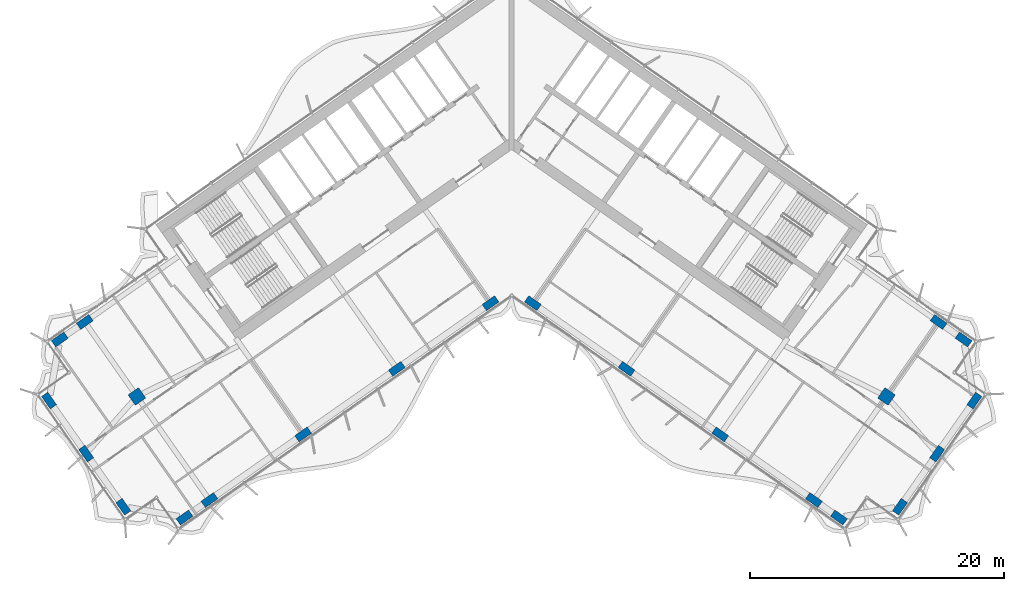
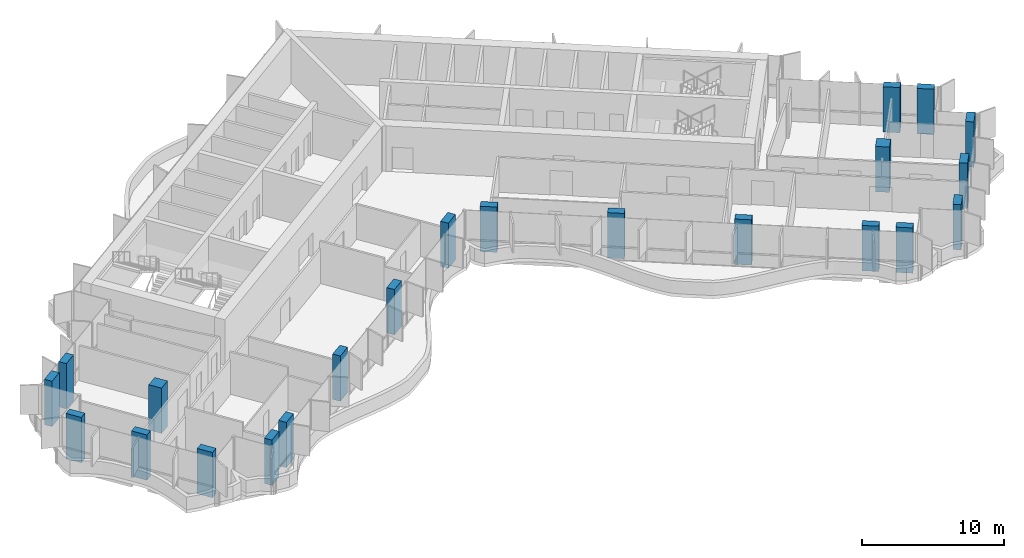
# One storey, part 1 of 23: 22 columns.
"""IFC4 building model written with IfcOpenShell, lengths in metres."""

from ifc_helpers import new_model, si_unit, direction, frame, origin, origin_2d, place, context, subcontext, project, spatial, rectangle, extrude, material, material_profile, profile_set, type_object, element, save


model = new_model("IFC4")

# Units and contexts
model_context = context("Model", 3, precision=1e-05, world=origin(), true_north=direction((0.0, 1.0)))
body_context = subcontext(model_context, "Body", "Model", "MODEL_VIEW")
ifc_project = project(units=[si_unit("LENGTHUNIT", "METRE"), si_unit("AREAUNIT", "SQUARE_METRE"), si_unit("VOLUMEUNIT", "CUBIC_METRE"), si_unit("PLANEANGLEUNIT", "RADIAN"), si_unit("MASSUNIT", "GRAM", prefix="KILO")], contexts=[model_context])

# Site, building, storey
site_placement = place(None, origin())
site = spatial("IfcSite", under=ifc_project, at=site_placement, CompositionType="ELEMENT")
building_placement = place(site_placement, origin())
building = spatial("IfcBuilding", under=site, at=building_placement, Name="Tel Ilan Convention Tower", CompositionType="ELEMENT")
storey_placement = place(building_placement, frame((0.0, 0.0, 178.800048828125)))
storey = spatial("IfcBuildingStorey", under=building, at=storey_placement, Name="L41", CompositionType="ELEMENT", Elevation=178.800048828125)

# Columns
ifc_material_1 = material(Name="Concrete C50/60", Category="concrete")
ifc_material_profile_1 = material_profile(ifc_material_1, rectangle(XDim=1.0, YDim=1.0, at=origin_2d()), Name="RC 1000x1000")
ifc_profile_set_1 = profile_set([ifc_material_profile_1], Name="Concrete C50/60")
column_type_1 = type_object("IfcColumnType", Name="Column RC 1000x1000 C50/60", PredefinedType="COLUMN", material=ifc_profile_set_1)
for number, where, z_axis, x_axis, name in (
    (1, (-29.489501953125, -20.648681640625, 0.0), (0.0, 0.0, 1.0), (-0.819152044289, -0.573576436351, 0.0), "L41 column W-M4"),
    (2, (29.489501953125, -20.648681640625, 0.0), (0.0, 0.0, 1.0), (0.819152044289, -0.573576436351, 0.0), "L41 column E-M4"),
):
    element("IfcColumn", number, at=place(storey_placement, frame(where, z_axis=z_axis, x_axis=x_axis)), inside=storey, type_object=column_type_1, Name=name, PredefinedType="COLUMN", context=body_context, shape_type="SweptSolid", body=[
        extrude(rectangle(XDim=1.0, YDim=1.0, at=origin_2d()), origin(), (0.0, 0.0, 1.0), 3.89990234375),
    ])
ifc_material_2 = material(Name="Concrete C50/60", Category="concrete")
ifc_material_profile_2 = material_profile(ifc_material_2, rectangle(XDim=1.199951171875, YDim=0.60009765625, at=origin_2d()), Name="RC 600x1200")
ifc_profile_set_2 = profile_set([ifc_material_profile_2], Name="Concrete C50/60")
column_type_2 = type_object("IfcColumnType", Name="Column RC 600x1200 C50/60", PredefinedType="COLUMN", material=ifc_profile_set_2)
for number, where, z_axis, x_axis, name in (
    (3, (-1.665283203125, -13.312744140625, 0.0), (0.0, 0.0, 1.0), (-0.819152044289, -0.573576436351, 0.0), "L41 column W-F1"),
    (4, (-9.03759765625, -18.474853515625, 0.0), (0.0, 0.0, 1.0), (-0.819152044289, -0.573576436351, 0.0), "L41 column W-F2"),
    (5, (-16.409912109375, -23.63720703125, 0.0), (0.0, 0.0, 1.0), (-0.819152044289, -0.573576436351, 0.0), "L41 column W-F3"),
    (6, (-23.782470703125, -28.79931640625, 0.0), (0.0, 0.0, 1.0), (-0.819152044289, -0.573576436351, 0.0), "L41 column W-F4"),
    (7, (-25.748291015625, -30.17578125, 0.0), (0.0, 0.0, 1.0), (-0.819152044289, -0.573576436351, 0.0), "L41 column W-FC"),
    (8, (-33.590576171875, -14.791748046875, 0.0), (0.0, 0.0, 1.0), (-0.819152044289, -0.573576436351, 0.0), "L41 column W-B4"),
    (9, (-35.556396484375, -16.16845703125, 0.0), (0.0, 0.0, 1.0), (-0.819152044289, -0.573576436351, 0.0), "L41 column W-BC"),
    (10, (-30.55322265625, -29.32861328125, 0.0), (0.0, 0.0, 1.0), (-0.573576436351, 0.819152044289, 0.0), "L41 column W-E1"),
    (11, (-33.478515625, -25.15087890625, 0.0), (0.0, 0.0, 1.0), (-0.573576436351, 0.819152044289, 0.0), "L41 column W-E2"),
    (12, (-36.40380859375, -20.973388671875, 0.0), (0.0, 0.0, 1.0), (-0.573576436351, 0.819152044289, 0.0), "L41 column W-E3"),
    (13, (1.665283203125, -13.312744140625, 0.0), (0.0, 0.0, 1.0), (0.819152044289, -0.573576436351, 0.0), "L41 column E-F1"),
    (14, (9.03759765625, -18.474853515625, 0.0), (0.0, 0.0, 1.0), (0.819152044289, -0.573576436351, 0.0), "L41 column E-F2"),
    (15, (16.409912109375, -23.63720703125, 0.0), (0.0, 0.0, 1.0), (0.819152044289, -0.573576436351, 0.0), "L41 column E-F3"),
    (16, (23.782470703125, -28.79931640625, 0.0), (0.0, 0.0, 1.0), (0.819152044289, -0.573576436351, 0.0), "L41 column E-F4"),
    (17, (25.748291015625, -30.17578125, 0.0), (0.0, 0.0, 1.0), (0.819152044289, -0.573576436351, 0.0), "L41 column E-FC"),
    (18, (33.590576171875, -14.791748046875, 0.0), (0.0, 0.0, 1.0), (0.819152044289, -0.573576436351, 0.0), "L41 column E-B4"),
    (19, (35.556396484375, -16.16845703125, 0.0), (0.0, 0.0, 1.0), (0.819152044289, -0.573576436351, 0.0), "L41 column E-BC"),
    (20, (30.55322265625, -29.32861328125, 0.0), (0.0, 0.0, 1.0), (0.573576436351, 0.819152044289, 0.0), "L41 column E-E1"),
    (21, (33.478515625, -25.15087890625, 0.0), (0.0, 0.0, 1.0), (0.573576436351, 0.819152044289, 0.0), "L41 column E-E2"),
    (22, (36.40380859375, -20.973388671875, 0.0), (0.0, 0.0, 1.0), (0.573576436351, 0.819152044289, 0.0), "L41 column E-E3"),
):
    element("IfcColumn", number, at=place(storey_placement, frame(where, z_axis=z_axis, x_axis=x_axis)), inside=storey, type_object=column_type_2, Name=name, PredefinedType="COLUMN", context=body_context, shape_type="SweptSolid", body=[
        extrude(rectangle(XDim=1.199951171875, YDim=0.60009765625, at=origin_2d()), origin(), (0.0, 0.0, 1.0), 3.89990234375),
    ])

save(model, "model.ifc")
